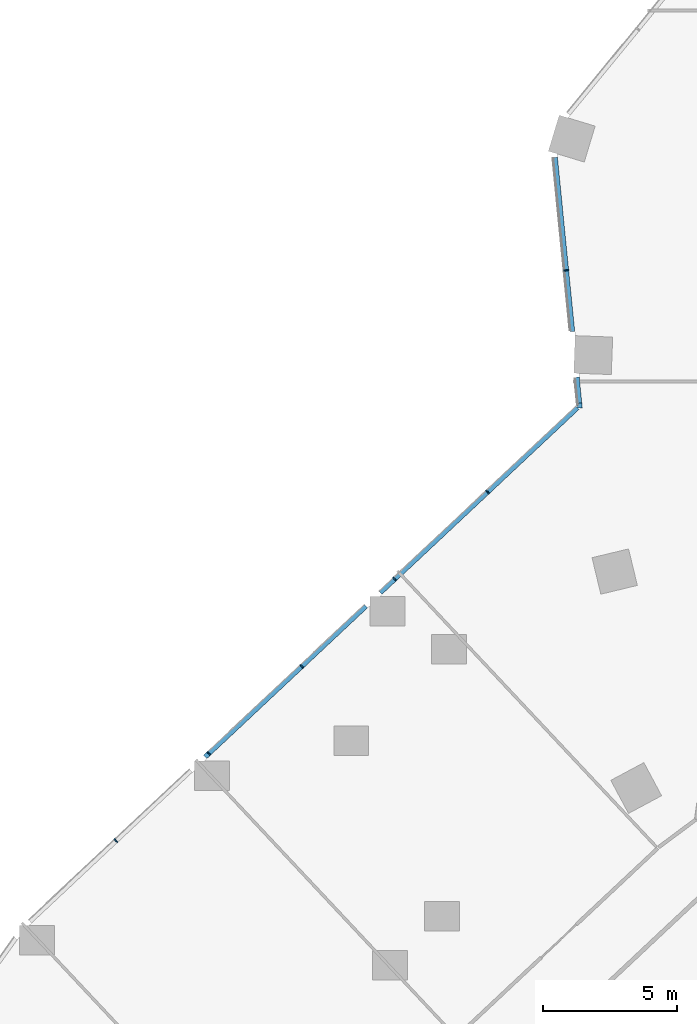
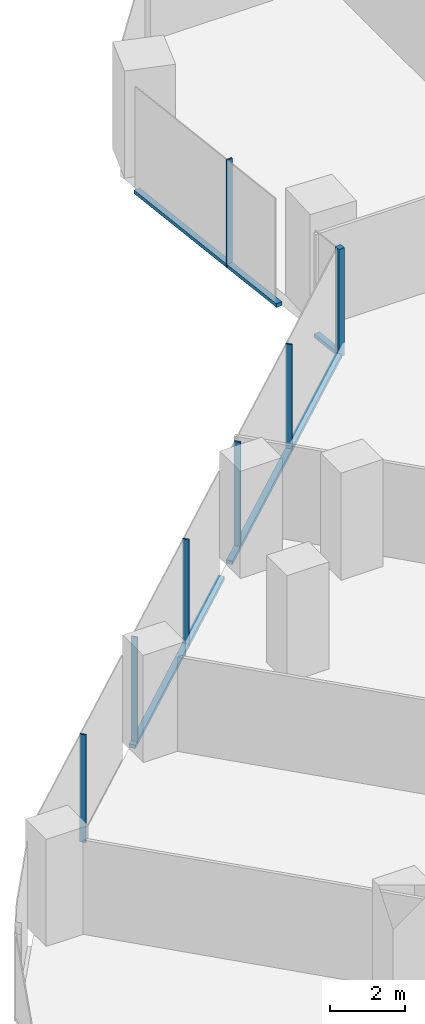
# One storey, part 6 of 33: 11 members, 2 elements without a shape of their own.
"""IFC4 building model written with IfcOpenShell, lengths in metres."""

from ifc_helpers import new_model, si_unit, direction, frame, origin, origin_2d, place, context, subcontext, project, spatial, rectangle, extrude, material, material_profile, profile_set, type_object, element, aggregate, save


model = new_model("IFC4")

# Units and contexts
model_context = context("Model", 3, precision=1e-05, world=origin(), true_north=direction((0.0, 1.0)))
body_context = subcontext(model_context, "Body", "Model", "MODEL_VIEW")
ifc_project = project(units=[si_unit("LENGTHUNIT", "METRE"), si_unit("AREAUNIT", "SQUARE_METRE"), si_unit("VOLUMEUNIT", "CUBIC_METRE"), si_unit("PLANEANGLEUNIT", "RADIAN"), si_unit("MASSUNIT", "GRAM", prefix="KILO")], contexts=[model_context])

# Site, building, storey
site_placement = place(None, origin())
site = spatial("IfcSite", under=ifc_project, at=site_placement, CompositionType="ELEMENT")
building_placement = place(site_placement, origin())
building = spatial("IfcBuilding", under=site, at=building_placement, Name="Orlundy Tower", CompositionType="ELEMENT")
storey_placement = place(building_placement, frame((0.0, 0.0, 51.300048828125)))
storey = spatial("IfcBuildingStorey", under=building, at=storey_placement, Name="L11", CompositionType="ELEMENT", Elevation=51.300048828125)

# Curtain wall, member
ifc_material_1 = material(Name="Aluminium bronze anodised", Category="aluminium")
curtain_wall_type = type_object("IfcCurtainWallType", Name="CW1 wall", PredefinedType="NOTDEFINED", material=ifc_material_1)
curtain_wall_1_placement = place(storey_placement, origin())
curtain_wall_1 = element("IfcCurtainWall", 1, at=curtain_wall_1_placement, inside=storey, type_object=curtain_wall_type, Name="CW1 run 01", PredefinedType="NOTDEFINED")
ifc_material_2 = material(Name="Aluminium bronze anodised", Category="aluminium")
ifc_material_profile_1 = material_profile(ifc_material_2, rectangle(XDim=0.179931640625, YDim=0.179931640625, at=origin_2d()), Name="CW1 corner post 180x180")
ifc_profile_set_1 = profile_set([ifc_material_profile_1], Name="Aluminium bronze anodised")
member_type_1 = type_object("IfcMemberType", Name="CW1 corner post 180x180", PredefinedType="MULLION", material=ifc_profile_set_1)
member_1_placement = place(storey_placement, frame((-30.163818359375, -0.747802734375, -0.420166015625), z_axis=(0.0, 0.0, 1.0), x_axis=(-0.995120028229, -0.098671826867, 0.0)))
member_1 = element("IfcMember", 2, at=member_1_placement, type_object=member_type_1, Name="CW1 mullion 7", PredefinedType="MULLION", context=body_context, shape_type="SweptSolid", body=[
    extrude(rectangle(XDim=0.179931640625, YDim=0.179931640625, at=origin_2d()), origin(), (0.0, 0.0, 1.0), 3.52001953125),
])

# Curtain wall, members
curtain_wall_2_placement = place(storey_placement, origin())
curtain_wall_2 = element("IfcCurtainWall", 3, at=curtain_wall_2_placement, inside=storey, type_object=curtain_wall_type, Name="CW1 run 00", PredefinedType="NOTDEFINED")
ifc_material_3 = material(Name="Aluminium bronze anodised", Category="aluminium")
ifc_material_profile_2 = material_profile(ifc_material_3, rectangle(XDim=0.179931640625, YDim=0.050048828125, at=origin_2d()), Name="CW1 mullion 50x180")
ifc_profile_set_2 = profile_set([ifc_material_profile_2], Name="Aluminium bronze anodised")
member_type_2 = type_object("IfcMemberType", Name="CW1 mullion 50x180", PredefinedType="MULLION", material=ifc_profile_set_2)
member_2_placement = place(storey_placement, frame((-47.47314453125, -16.984130859375, -0.420166015625), z_axis=(0.0, 0.0, 1.0), x_axis=(-0.684139296752, 0.729351371178, 0.0)))
member_2 = element("IfcMember", 4, at=member_2_placement, type_object=member_type_2, Name="CW1 mullion 2", PredefinedType="MULLION", context=body_context, shape_type="SweptSolid", body=[
    extrude(rectangle(XDim=0.179931640625, YDim=0.050048828125, at=origin_2d()), origin(), (0.0, 0.0, 1.0), 3.52001953125),
])
member_3_placement = place(storey_placement, frame((-44.0048828125, -13.730712890625, -0.420166015625), z_axis=(0.0, 0.0, 1.0), x_axis=(-0.684139296752, 0.729351371178, 0.0)))
member_3 = element("IfcMember", 5, at=member_3_placement, type_object=member_type_2, Name="CW1 mullion 3", PredefinedType="MULLION", context=body_context, shape_type="SweptSolid", body=[
    extrude(rectangle(XDim=0.179931640625, YDim=0.050048828125, at=origin_2d()), origin(), (0.0, 0.0, 1.0), 3.52001953125),
])
member_4_placement = place(storey_placement, frame((-40.53662109375, -10.477294921875, -0.420166015625), z_axis=(0.0, 0.0, 1.0), x_axis=(-0.684139296752, 0.729351371178, 0.0)))
member_4 = element("IfcMember", 6, at=member_4_placement, type_object=member_type_2, Name="CW1 mullion 4", PredefinedType="MULLION", context=body_context, shape_type="SweptSolid", body=[
    extrude(rectangle(XDim=0.179931640625, YDim=0.050048828125, at=origin_2d()), origin(), (0.0, 0.0, 1.0), 3.52001953125),
])
member_5_placement = place(storey_placement, frame((-37.068359375, -7.22412109375, -0.420166015625), z_axis=(0.0, 0.0, 1.0), x_axis=(-0.684139296752, 0.729351371178, 0.0)))
member_5 = element("IfcMember", 7, at=member_5_placement, type_object=member_type_2, Name="CW1 mullion 5", PredefinedType="MULLION", context=body_context, shape_type="SweptSolid", body=[
    extrude(rectangle(XDim=0.179931640625, YDim=0.050048828125, at=origin_2d()), origin(), (0.0, 0.0, 1.0), 3.52001953125),
])
member_6_placement = place(storey_placement, frame((-33.599853515625, -3.970703125, -0.420166015625), z_axis=(0.0, 0.0, 1.0), x_axis=(-0.684139296752, 0.729351371178, 0.0)))
member_6 = element("IfcMember", 8, at=member_6_placement, type_object=member_type_2, Name="CW1 mullion 6", PredefinedType="MULLION", context=body_context, shape_type="SweptSolid", body=[
    extrude(rectangle(XDim=0.179931640625, YDim=0.050048828125, at=origin_2d()), origin(), (0.0, 0.0, 1.0), 3.52001953125),
])

# Member
member_7_placement = place(storey_placement, frame((-30.66455078125, 4.301025390625, -0.420166015625), z_axis=(0.0, 0.0, 1.0), x_axis=(-0.995120028229, -0.098671826867, 0.0)))
member_7 = element("IfcMember", 9, at=member_7_placement, type_object=member_type_2, Name="CW1 mullion 8", PredefinedType="MULLION", context=body_context, shape_type="SweptSolid", body=[
    extrude(rectangle(XDim=0.179931640625, YDim=0.050048828125, at=origin_2d()), origin(), (0.0, 0.0, 1.0), 3.52001953125),
])

ifc_material_4 = material(Name="Aluminium bronze anodised", Category="aluminium")
ifc_material_profile_3 = material_profile(ifc_material_4, rectangle(XDim=0.179931640625, YDim=0.1201171875, at=origin_2d()), Name="CW1 transom 180x120")
ifc_profile_set_3 = profile_set([ifc_material_profile_3], Name="Aluminium bronze anodised")
member_type_3 = type_object("IfcMemberType", Name="CW1 transom 180x120", PredefinedType="USERDEFINED", material=ifc_profile_set_3)
member_8_placement = place(storey_placement, frame((-44.143798828125, -13.861083984375, -0.360107421875), z_axis=(0.72933458514, 0.684157191673, 0.0), x_axis=(-0.684157191673, 0.72933458514, 0.0)))
member_8 = element("IfcMember", 10, at=member_8_placement, type_object=member_type_3, Name="CW1 transom", ObjectType="TRANSOM", PredefinedType="USERDEFINED", context=body_context, shape_type="SweptSolid", body=[
    extrude(rectangle(XDim=0.179931640625, YDim=0.1201171875, at=origin_2d()), origin(), (0.0, 0.0, 1.0), 8.23046875),
])

member_9_placement = place(storey_placement, frame((-37.603271484375, -7.72607421875, -0.360107421875), z_axis=(0.729352247535, 0.684138362479, 0.0), x_axis=(-0.684138362479, 0.729352247535, 0.0)))
member_9 = element("IfcMember", 11, at=member_9_placement, type_object=member_type_3, Name="CW1 transom", ObjectType="TRANSOM", PredefinedType="USERDEFINED", context=body_context, shape_type="SweptSolid", body=[
    extrude(rectangle(XDim=0.179931640625, YDim=0.1201171875, at=origin_2d()), origin(), (0.0, 0.0, 1.0), 10.086669921875),
])

aggregate(curtain_wall_2, [member_2, member_3, member_4, member_5, member_6, member_8, member_9])

member_10_placement = place(storey_placement, frame((-30.1728515625, -0.658203125, -0.360107421875), z_axis=(-0.098732593385, 0.995114001009, 0.0), x_axis=(-0.995114001009, -0.098732593385, 0.0)))
member_10 = element("IfcMember", 12, at=member_10_placement, type_object=member_type_3, Name="CW1 transom", ObjectType="TRANSOM", PredefinedType="USERDEFINED", context=body_context, shape_type="SweptSolid", body=[
    extrude(rectangle(XDim=0.179931640625, YDim=0.1201171875, at=origin_2d()), origin(), (0.0, 0.0, 1.0), 0.9716796875),
])

member_11_placement = place(storey_placement, frame((-30.43798828125, 2.0166015625, -0.360107421875), z_axis=(-0.09868941659, 0.995118283951, 0.0), x_axis=(-0.995118283951, -0.09868941659, 0.0)))
member_11 = element("IfcMember", 13, at=member_11_placement, type_object=member_type_3, Name="CW1 transom", ObjectType="TRANSOM", PredefinedType="USERDEFINED", context=body_context, shape_type="SweptSolid", body=[
    extrude(rectangle(XDim=0.179931640625, YDim=0.1201171875, at=origin_2d()), origin(), (0.0, 0.0, 1.0), 6.531005859375),
])

aggregate(curtain_wall_1, [member_1, member_7, member_10, member_11])

save(model, "model.ifc")
